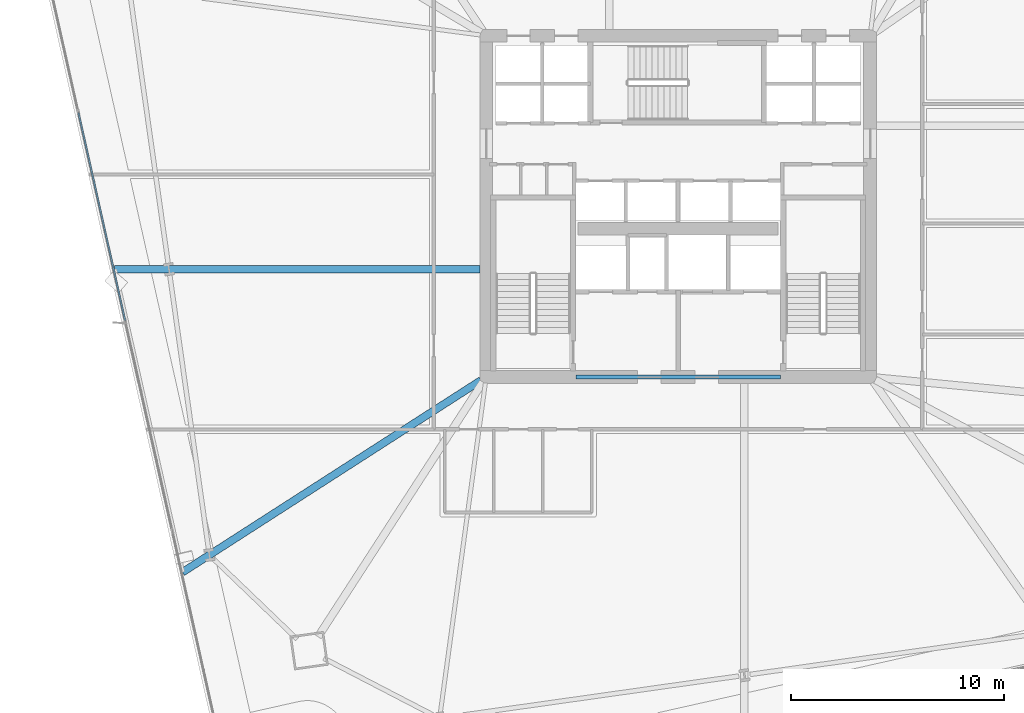
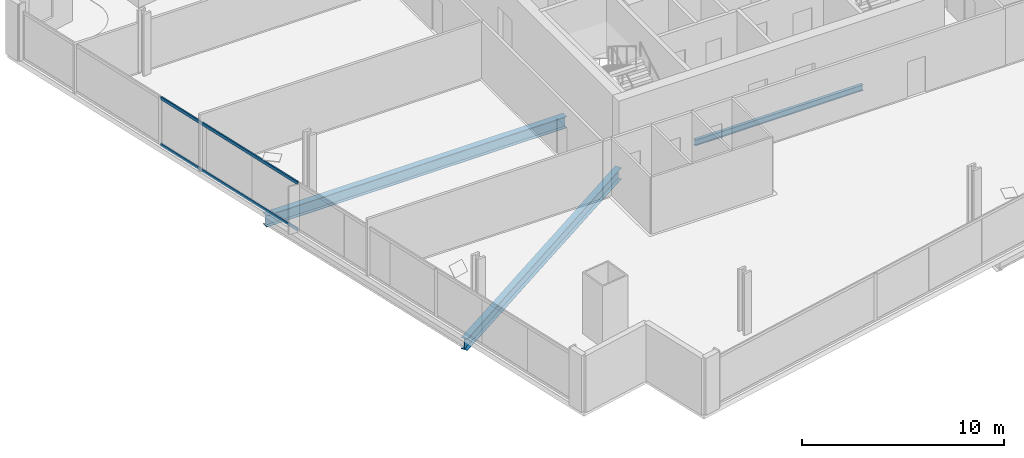
# One storey, part 6 of 32: 3 beams, 2 members, 1 element without a shape of its own.
"""IFC4 building model written with IfcOpenShell, lengths in metres."""

from ifc_helpers import new_model, si_unit, direction, frame, origin, origin_2d, place, context, subcontext, project, spatial, hollow_rectangle, i_section, extrude, material, material_profile, profile_set, type_object, element, aggregate, save


model = new_model("IFC4")

# Units and contexts
model_context = context("Model", 3, precision=1e-05, world=origin(), true_north=direction((0.0, 1.0)))
body_context = subcontext(model_context, "Body", "Model", "MODEL_VIEW")
ifc_project = project(units=[si_unit("LENGTHUNIT", "METRE"), si_unit("AREAUNIT", "SQUARE_METRE"), si_unit("VOLUMEUNIT", "CUBIC_METRE"), si_unit("PLANEANGLEUNIT", "RADIAN"), si_unit("MASSUNIT", "GRAM", prefix="KILO")], contexts=[model_context])

# Site, building, storey
site_placement = place(None, origin())
site = spatial("IfcSite", under=ifc_project, at=site_placement, CompositionType="ELEMENT")
building_placement = place(site_placement, origin())
building = spatial("IfcBuilding", under=site, at=building_placement, Name="Haldenkirk Collegiate Tower", CompositionType="ELEMENT")
storey_placement = place(building_placement, frame((0.0, 0.0, 70.199951171875)))
storey = spatial("IfcBuildingStorey", under=building, at=storey_placement, Name="L16", CompositionType="ELEMENT", Elevation=70.199951171875)

# Beams
ifc_material_1 = material(Name="Steel ASTM A992 Grade 50", Category="steel")
ifc_material_profile_1 = material_profile(ifc_material_1, i_section(OverallWidth=0.35498046875, OverallDepth=0.696044921875, WebThickness=0.015380859375, FlangeThickness=0.02490234375, at=origin_2d()), Name="W27X146")
ifc_profile_set_1 = profile_set([ifc_material_profile_1], Name="Steel ASTM A992 Grade 50")
beam_type_1 = type_object("IfcBeamType", Name="BM-GIRDER-W27X146", PredefinedType="BEAM", material=ifc_profile_set_1)
beam_1_placement = place(storey_placement, frame((9.573974609375, 23.052978515625, -0.657958984375), z_axis=(1.0, 0.0, 0.0), x_axis=(0.0, 1.0, 0.0)))
element("IfcBeam", 1, at=beam_1_placement, inside=storey, type_object=beam_type_1, Name="L16 primary floor girder 15", PredefinedType="BEAM", context=body_context, shape_type="SweptSolid", body=[
    extrude(i_section(OverallWidth=0.35498046875, OverallDepth=0.696044921875, WebThickness=0.015380859375, FlangeThickness=0.02490234375, at=origin_2d()), origin(), (0.0, 0.0, 1.0), 17.14599609375),
])
beam_2_placement = place(storey_placement, frame((12.76220703125, 8.847412109375, -0.657958984375), z_axis=(0.841183717254, 0.540749437195, 0.0), x_axis=(-0.540749437195, 0.841183717254, 0.0)))
element("IfcBeam", 2, at=beam_2_placement, inside=storey, type_object=beam_type_1, Name="L16 primary floor girder 16", PredefinedType="BEAM", context=body_context, shape_type="SweptSolid", body=[
    extrude(i_section(OverallWidth=0.35498046875, OverallDepth=0.696044921875, WebThickness=0.015380859375, FlangeThickness=0.02490234375, at=origin_2d()), origin(), (0.0, 0.0, 1.0), 16.645751953125),
])
ifc_material_profile_2 = material_profile(ifc_material_1, i_section(OverallWidth=0.1708984375, OverallDepth=0.35595703125, WebThickness=0.007080078125, FlangeThickness=0.01171875, at=origin_2d()), Name="W14X34")
ifc_profile_set_2 = profile_set([ifc_material_profile_2], Name="Steel ASTM A992 Grade 50")
beam_type_2 = type_object("IfcBeamType", Name="BM-LINTEL-W14X34", PredefinedType="LINTEL", material=ifc_profile_set_2)
beam_3_placement = place(storey_placement, frame((31.199951171875, 18.0, -0.488037109375), z_axis=(1.0, 0.0, 0.0), x_axis=(0.0, 1.0, 0.0)))
element("IfcBeam", 3, at=beam_3_placement, inside=storey, type_object=beam_type_2, Name="L16 south core coupling lintel", PredefinedType="LINTEL", context=body_context, shape_type="SweptSolid", body=[
    extrude(i_section(OverallWidth=0.1708984375, OverallDepth=0.35595703125, WebThickness=0.007080078125, FlangeThickness=0.01171875, at=origin_2d()), origin(), (0.0, 0.0, 1.0), 9.60009765625),
])

# Curtain wall, members
ifc_material_2 = material(Name="Anodised architectural bronze aluminium", Category="aluminium")
curtain_wall_type = type_object("IfcCurtainWallType", Name="CW-SYS1-CONVEX-LOW", PredefinedType="USERDEFINED", material=ifc_material_2)
curtain_wall_placement = place(storey_placement, origin())
curtain_wall = element("IfcCurtainWall", 4, at=curtain_wall_placement, inside=storey, type_object=curtain_wall_type, Name="L16 Lower tower convex bronze-framed unitised curtain wall", ObjectType="UNITISED CURTAIN WALL", PredefinedType="USERDEFINED")
ifc_material_profile_3 = material_profile(ifc_material_2, hollow_rectangle(XDim=0.080078125, YDim=0.179931640625, WallThickness=0.0048828125, at=origin_2d()), Name="CW-TRN-1A")
ifc_profile_set_3 = profile_set([ifc_material_profile_3], Name="Anodised architectural bronze aluminium")
member_type = type_object("IfcMemberType", Name="CW-TRN-1A", PredefinedType="USERDEFINED", material=ifc_profile_set_3)
member_1_placement = place(storey_placement, frame((10.073486328125, 20.644775390625, 0.0400390625), z_axis=(-0.219000351398, 0.975724779888, 0.0), x_axis=(-0.975724779888, -0.219000351398, 0.0)))
member_1 = element("IfcMember", 5, at=member_1_placement, type_object=member_type, Name="CW-1A transom 3.1", ObjectType="TRANSOM", PredefinedType="USERDEFINED", context=body_context, shape_type="SweptSolid", body=[
    extrude(hollow_rectangle(XDim=0.080078125, YDim=0.179931640625, WallThickness=0.0048828125, at=origin_2d()), origin(), (0.0, 0.0, 1.0), 9.988525390625),
])
member_2_placement = place(storey_placement, frame((10.073486328125, 20.644775390625, 2.85107421875), z_axis=(-0.219000351398, 0.975724779888, 0.0), x_axis=(-0.975724779888, -0.219000351398, 0.0)))
member_2 = element("IfcMember", 6, at=member_2_placement, type_object=member_type, Name="CW-1A transom 3.2", ObjectType="TRANSOM", PredefinedType="USERDEFINED", context=body_context, shape_type="SweptSolid", body=[
    extrude(hollow_rectangle(XDim=0.080078125, YDim=0.179931640625, WallThickness=0.0048828125, at=origin_2d()), origin(), (0.0, 0.0, 1.0), 9.988525390625),
])
aggregate(curtain_wall, [member_1, member_2])

save(model, "model.ifc")
